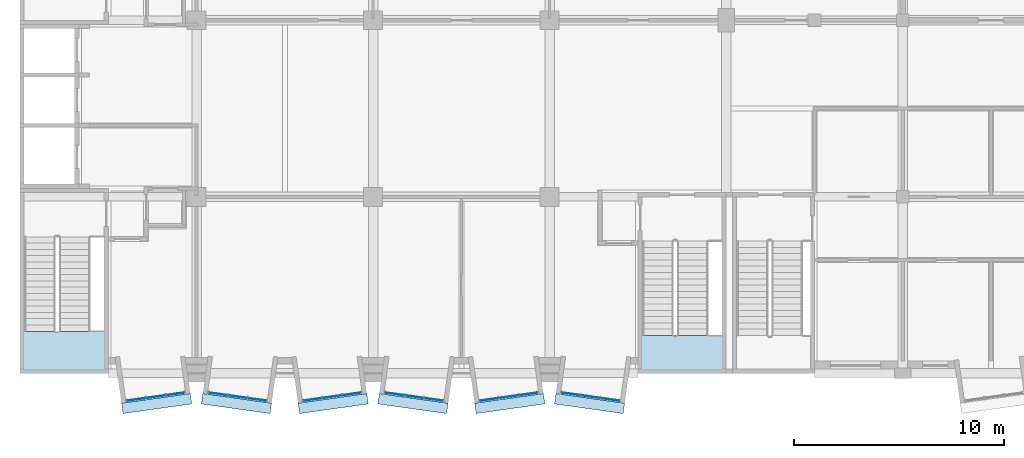
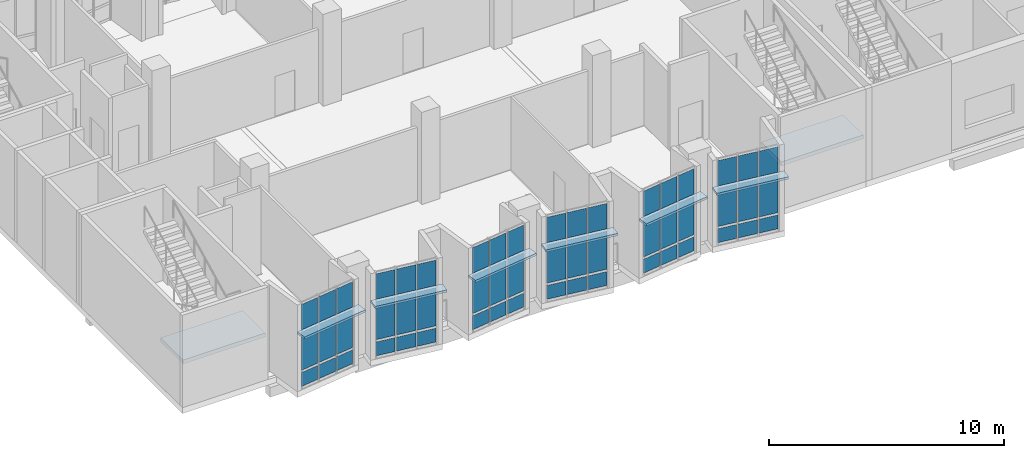
# One storey, part 20 of 91: 60 plates, 2 slabs, 8 elements without a shape of their own.
"""IFC4 building model written with IfcOpenShell, lengths in metres."""

from ifc_helpers import new_model, si_unit, direction, frame, origin, origin_2d, place, context, subcontext, project, spatial, polyline, rectangle, outline, extrude, material, layer, layer_set, type_object, element, aggregate, save


model = new_model("IFC4")

# Units and contexts
model_context = context("Model", 3, precision=1e-05, world=origin(), true_north=direction((0.0, 1.0)))
body_context = subcontext(model_context, "Body", "Model", "MODEL_VIEW")
ifc_project = project(units=[si_unit("LENGTHUNIT", "METRE"), si_unit("AREAUNIT", "SQUARE_METRE"), si_unit("VOLUMEUNIT", "CUBIC_METRE"), si_unit("PLANEANGLEUNIT", "RADIAN"), si_unit("MASSUNIT", "GRAM", prefix="KILO")], contexts=[model_context])

# Site, building, storey
site_placement = place(None, origin())
site = spatial("IfcSite", under=ifc_project, at=site_placement, CompositionType="ELEMENT")
building_placement = place(site_placement, origin())
building = spatial("IfcBuilding", under=site, at=building_placement, Name="Kiln Court Media Centre", CompositionType="ELEMENT")
storey_placement = place(building_placement, frame((0.0, 0.0, 5.39990234375)))
storey = spatial("IfcBuildingStorey", under=building, at=storey_placement, Name="L01", CompositionType="ELEMENT", Elevation=5.39990234375)

# Plates
ifc_material_1 = material(Name="Concrete C30/37", Category="concrete")
ifc_layer_1 = layer(ifc_material_1, 0.1201171875)
ifc_layer_set_1 = layer_set([ifc_layer_1], Name="Concrete C30/37 sunshade hood 120")
plate_type_1 = type_object("IfcPlateType", Name="Concrete C30/37 sunshade hood 120", PredefinedType="USERDEFINED", material=ifc_layer_set_1)
plate_1_placement = place(storey_placement, frame((0.0, 0.0, 3.0)))
element("IfcPlate", 1, at=plate_1_placement, inside=storey, type_object=plate_type_1, Name="SUNSHADE V6A-S-L01-02", ObjectType="SUNSHADE", PredefinedType="USERDEFINED", context=body_context, shape_type="SweptSolid", body=[
    extrude(outline(polyline([(4.8330078125, -1.41796875), (8.10107421875, -0.958740234375), (8.17041015625, -1.453857421875), (4.902587890625, -1.9130859375), (4.8330078125, -1.41796875)])), origin(), (0.0, 0.0, 1.0), 0.1201171875),
])
plate_2_placement = place(storey_placement, frame((0.0, 0.0, 3.0)))
element("IfcPlate", 2, at=plate_2_placement, inside=storey, type_object=plate_type_1, Name="SUNSHADE V6A-S-L01-03", ObjectType="SUNSHADE", PredefinedType="USERDEFINED", context=body_context, shape_type="SweptSolid", body=[
    extrude(outline(polyline([(8.698974609375, -0.958740234375), (11.966796875, -1.41796875), (11.897216796875, -1.9130859375), (8.62939453125, -1.453857421875), (8.698974609375, -0.958740234375)])), origin(), (0.0, 0.0, 1.0), 0.1201171875),
])
plate_3_placement = place(storey_placement, frame((0.0, 0.0, 3.0)))
element("IfcPlate", 3, at=plate_3_placement, inside=storey, type_object=plate_type_1, Name="SUNSHADE V6A-S-L01-04", ObjectType="SUNSHADE", PredefinedType="USERDEFINED", context=body_context, shape_type="SweptSolid", body=[
    extrude(outline(polyline([(13.233154296875, -1.41796875), (16.5009765625, -0.958740234375), (16.570556640625, -1.453857421875), (13.302734375, -1.9130859375), (13.233154296875, -1.41796875)])), origin(), (0.0, 0.0, 1.0), 0.1201171875),
])
plate_4_placement = place(storey_placement, frame((0.0, 0.0, 3.0)))
element("IfcPlate", 4, at=plate_4_placement, inside=storey, type_object=plate_type_1, Name="SUNSHADE V6A-S-L01-05", ObjectType="SUNSHADE", PredefinedType="USERDEFINED", context=body_context, shape_type="SweptSolid", body=[
    extrude(outline(polyline([(17.09912109375, -0.958740234375), (20.366943359375, -1.41796875), (20.29736328125, -1.9130859375), (17.029541015625, -1.453857421875), (17.09912109375, -0.958740234375)])), origin(), (0.0, 0.0, 1.0), 0.1201171875),
])
plate_5_placement = place(storey_placement, frame((0.0, 0.0, 3.0)))
element("IfcPlate", 5, at=plate_5_placement, inside=storey, type_object=plate_type_1, Name="SUNSHADE V6A-S-L01-06", ObjectType="SUNSHADE", PredefinedType="USERDEFINED", context=body_context, shape_type="SweptSolid", body=[
    extrude(outline(polyline([(21.633056640625, -1.41796875), (24.90087890625, -0.958740234375), (24.970458984375, -1.453857421875), (21.70263671875, -1.9130859375), (21.633056640625, -1.41796875)])), origin(), (0.0, 0.0, 1.0), 0.1201171875),
])
plate_6_placement = place(storey_placement, frame((0.0, 0.0, 3.0)))
element("IfcPlate", 6, at=plate_6_placement, inside=storey, type_object=plate_type_1, Name="SUNSHADE V6A-S-L01-07", ObjectType="SUNSHADE", PredefinedType="USERDEFINED", context=body_context, shape_type="SweptSolid", body=[
    extrude(outline(polyline([(25.4990234375, -0.958740234375), (28.766845703125, -1.41796875), (28.697265625, -1.9130859375), (25.429443359375, -1.453857421875), (25.4990234375, -0.958740234375)])), origin(), (0.0, 0.0, 1.0), 0.1201171875),
])

# Stair, slab
ifc_material_2 = material(Name="Concrete C40/50", Category="concrete")
stair_type = type_object("IfcStairType", Name="Concrete C40/50 dog-leg stair 1500 wide, 150 riser", PredefinedType="HALF_TURN_STAIR", material=ifc_material_2)
stair_1_placement = place(storey_placement, origin())
stair_1 = element("IfcStair", 7, at=stair_1_placement, inside=storey, type_object=stair_type, Name="ST-01 L01", PredefinedType="HALF_TURN_STAIR")
ifc_material_3 = material(Name="Concrete C40/50", Category="concrete")
ifc_layer_2 = layer(ifc_material_3, 0.199951171875)
ifc_layer_set_2 = layer_set([ifc_layer_2], Name="Concrete C40/50 stair landing 200")
slab_type = type_object("IfcSlabType", Name="Concrete C40/50 stair landing 200", PredefinedType="LANDING", material=ifc_layer_set_2)
slab_1_placement = place(storey_placement, frame((0.0, 0.0, 2.2001953125)))
slab_1 = element("IfcSlab", 8, at=slab_1_placement, type_object=slab_type, Name="L01-ST-5000 landing 5000", PredefinedType="LANDING", context=body_context, shape_type="SweptSolid", body=[
    extrude(outline(polyline([(0.080078125, 2.0), (0.080078125, 0.080078125), (4.1201171875, 0.080078125), (4.1201171875, 2.0), (0.080078125, 2.0)])), origin(), (0.0, 0.0, 1.0), 0.199951171875),
])
aggregate(stair_1, [slab_1])

stair_2_placement = place(storey_placement, origin())
stair_2 = element("IfcStair", 9, at=stair_2_placement, inside=storey, type_object=stair_type, Name="ST-03 L01", PredefinedType="HALF_TURN_STAIR")
slab_2_placement = place(storey_placement, frame((0.0, 0.0, 2.2001953125)))
slab_2 = element("IfcSlab", 10, at=slab_2_placement, type_object=slab_type, Name="L01-ST-5002 landing 5002", PredefinedType="LANDING", context=body_context, shape_type="SweptSolid", body=[
    extrude(outline(polyline([(29.47998046875, 1.800048828125), (29.47998046875, 0.080078125), (33.52001953125, 0.080078125), (33.52001953125, 1.800048828125), (29.47998046875, 1.800048828125)])), origin(), (0.0, 0.0, 1.0), 0.199951171875),
])
aggregate(stair_2, [slab_2])

# Curtain wall, plates
ifc_material_4 = material(Name="Aluminium 6063-T6", Category="aluminium")
ifc_layer_3 = layer(ifc_material_4, 0.1201171875)
ifc_layer_set_3 = layer_set([ifc_layer_3], Name="Aluminium unitised bay curtain wall")
curtain_wall_type = type_object("IfcCurtainWallType", Name="Aluminium unitised bay curtain wall", PredefinedType="USERDEFINED", material=ifc_layer_set_3)
curtain_wall_1_placement = place(storey_placement, origin())
curtain_wall_1 = element("IfcCurtainWall", 11, at=curtain_wall_1_placement, inside=storey, type_object=curtain_wall_type, Name="BAY V6A-S-L01-02 front", ObjectType="UNITISED CURTAIN WALL", PredefinedType="USERDEFINED")
ifc_material_5 = material(Name="Aluminium insulated spandrel", Category="aluminium")
ifc_layer_4 = layer(ifc_material_5, 0.028076171875)
ifc_layer_set_4 = layer_set([ifc_layer_4], Name="Insulated spandrel panel 28")
plate_type_2 = type_object("IfcPlateType", Name="Insulated spandrel panel 28", PredefinedType="CURTAIN_PANEL", material=ifc_layer_set_4)
plate_7_placement = place(storey_placement, frame((5.5234375, -1.240234375, 0.1201171875), z_axis=(0.0, 0.0, 1.0), x_axis=(0.990269562409, 0.139162472554, 0.0)))
plate_7 = element("IfcPlate", 12, at=plate_7_placement, type_object=plate_type_2, Name="CW1-10 panel 1.1", PredefinedType="CURTAIN_PANEL", context=body_context, shape_type="SweptSolid", body=[
    extrude(rectangle(XDim=0.86669921875, YDim=0.028076171875, at=origin_2d()), origin(), (0.0, 0.0, 1.0), 0.719970703125),
])
plate_8_placement = place(storey_placement, frame((6.455810546875, -1.109130859375, 0.1201171875), z_axis=(0.0, 0.0, 1.0), x_axis=(0.990269562409, 0.139162472554, 0.0)))
plate_8 = element("IfcPlate", 13, at=plate_8_placement, type_object=plate_type_2, Name="CW1-10 panel 2.1", PredefinedType="CURTAIN_PANEL", context=body_context, shape_type="SweptSolid", body=[
    extrude(rectangle(XDim=0.896728515625, YDim=0.028076171875, at=origin_2d()), origin(), (0.0, 0.0, 1.0), 0.719970703125),
])
plate_9_placement = place(storey_placement, frame((7.388427734375, -0.97802734375, 0.1201171875), z_axis=(0.0, 0.0, 1.0), x_axis=(0.990269562409, 0.139162472554, 0.0)))
plate_9 = element("IfcPlate", 14, at=plate_9_placement, type_object=plate_type_2, Name="CW1-10 panel 3.1", PredefinedType="CURTAIN_PANEL", context=body_context, shape_type="SweptSolid", body=[
    extrude(rectangle(XDim=0.86669921875, YDim=0.028076171875, at=origin_2d()), origin(), (0.0, 0.0, 1.0), 0.719970703125),
])

curtain_wall_2_placement = place(storey_placement, origin())
curtain_wall_2 = element("IfcCurtainWall", 15, at=curtain_wall_2_placement, inside=storey, type_object=curtain_wall_type, Name="BAY V6A-S-L01-03 front", ObjectType="UNITISED CURTAIN WALL", PredefinedType="USERDEFINED")
plate_10_placement = place(storey_placement, frame((9.41162109375, -0.97802734375, 0.1201171875), z_axis=(0.0, 0.0, 1.0), x_axis=(0.990269562409, -0.139162472554, 0.0)))
plate_10 = element("IfcPlate", 16, at=plate_10_placement, type_object=plate_type_2, Name="CW1-11 panel 1.1", PredefinedType="CURTAIN_PANEL", context=body_context, shape_type="SweptSolid", body=[
    extrude(rectangle(XDim=0.86669921875, YDim=0.028076171875, at=origin_2d()), origin(), (0.0, 0.0, 1.0), 0.719970703125),
])
plate_11_placement = place(storey_placement, frame((10.34423828125, -1.109130859375, 0.1201171875), z_axis=(0.0, 0.0, 1.0), x_axis=(0.990269562409, -0.139162472554, 0.0)))
plate_11 = element("IfcPlate", 17, at=plate_11_placement, type_object=plate_type_2, Name="CW1-11 panel 2.1", PredefinedType="CURTAIN_PANEL", context=body_context, shape_type="SweptSolid", body=[
    extrude(rectangle(XDim=0.896728515625, YDim=0.028076171875, at=origin_2d()), origin(), (0.0, 0.0, 1.0), 0.719970703125),
])
plate_12_placement = place(storey_placement, frame((11.276611328125, -1.240234375, 0.1201171875), z_axis=(0.0, 0.0, 1.0), x_axis=(0.990269562409, -0.139162472554, 0.0)))
plate_12 = element("IfcPlate", 18, at=plate_12_placement, type_object=plate_type_2, Name="CW1-11 panel 3.1", PredefinedType="CURTAIN_PANEL", context=body_context, shape_type="SweptSolid", body=[
    extrude(rectangle(XDim=0.86669921875, YDim=0.028076171875, at=origin_2d()), origin(), (0.0, 0.0, 1.0), 0.719970703125),
])

curtain_wall_3_placement = place(storey_placement, origin())
curtain_wall_3 = element("IfcCurtainWall", 19, at=curtain_wall_3_placement, inside=storey, type_object=curtain_wall_type, Name="BAY V6A-S-L01-04 front", ObjectType="UNITISED CURTAIN WALL", PredefinedType="USERDEFINED")
plate_13_placement = place(storey_placement, frame((13.92333984375, -1.240234375, 0.1201171875), z_axis=(0.0, 0.0, 1.0), x_axis=(0.990269562409, 0.139162472554, 0.0)))
plate_13 = element("IfcPlate", 20, at=plate_13_placement, type_object=plate_type_2, Name="CW1-12 panel 1.1", PredefinedType="CURTAIN_PANEL", context=body_context, shape_type="SweptSolid", body=[
    extrude(rectangle(XDim=0.86669921875, YDim=0.028076171875, at=origin_2d()), origin(), (0.0, 0.0, 1.0), 0.719970703125),
])
plate_14_placement = place(storey_placement, frame((14.85595703125, -1.109130859375, 0.1201171875), z_axis=(0.0, 0.0, 1.0), x_axis=(0.990269562409, 0.139162472554, 0.0)))
plate_14 = element("IfcPlate", 21, at=plate_14_placement, type_object=plate_type_2, Name="CW1-12 panel 2.1", PredefinedType="CURTAIN_PANEL", context=body_context, shape_type="SweptSolid", body=[
    extrude(rectangle(XDim=0.896728515625, YDim=0.028076171875, at=origin_2d()), origin(), (0.0, 0.0, 1.0), 0.719970703125),
])
plate_15_placement = place(storey_placement, frame((15.788330078125, -0.97802734375, 0.1201171875), z_axis=(0.0, 0.0, 1.0), x_axis=(0.990269562409, 0.139162472554, 0.0)))
plate_15 = element("IfcPlate", 22, at=plate_15_placement, type_object=plate_type_2, Name="CW1-12 panel 3.1", PredefinedType="CURTAIN_PANEL", context=body_context, shape_type="SweptSolid", body=[
    extrude(rectangle(XDim=0.86669921875, YDim=0.028076171875, at=origin_2d()), origin(), (0.0, 0.0, 1.0), 0.719970703125),
])

curtain_wall_4_placement = place(storey_placement, origin())
curtain_wall_4 = element("IfcCurtainWall", 23, at=curtain_wall_4_placement, inside=storey, type_object=curtain_wall_type, Name="BAY V6A-S-L01-05 front", ObjectType="UNITISED CURTAIN WALL", PredefinedType="USERDEFINED")
plate_16_placement = place(storey_placement, frame((17.8115234375, -0.97802734375, 0.1201171875), z_axis=(0.0, 0.0, 1.0), x_axis=(0.990269562409, -0.139162472554, 0.0)))
plate_16 = element("IfcPlate", 24, at=plate_16_placement, type_object=plate_type_2, Name="CW1-13 panel 1.1", PredefinedType="CURTAIN_PANEL", context=body_context, shape_type="SweptSolid", body=[
    extrude(rectangle(XDim=0.86669921875, YDim=0.028076171875, at=origin_2d()), origin(), (0.0, 0.0, 1.0), 0.719970703125),
])
plate_17_placement = place(storey_placement, frame((18.744140625, -1.109130859375, 0.1201171875), z_axis=(0.0, 0.0, 1.0), x_axis=(0.990269562409, -0.139162472554, 0.0)))
plate_17 = element("IfcPlate", 25, at=plate_17_placement, type_object=plate_type_2, Name="CW1-13 panel 2.1", PredefinedType="CURTAIN_PANEL", context=body_context, shape_type="SweptSolid", body=[
    extrude(rectangle(XDim=0.896728515625, YDim=0.028076171875, at=origin_2d()), origin(), (0.0, 0.0, 1.0), 0.719970703125),
])
plate_18_placement = place(storey_placement, frame((19.6767578125, -1.240234375, 0.1201171875), z_axis=(0.0, 0.0, 1.0), x_axis=(0.990269562409, -0.139162472554, 0.0)))
plate_18 = element("IfcPlate", 26, at=plate_18_placement, type_object=plate_type_2, Name="CW1-13 panel 3.1", PredefinedType="CURTAIN_PANEL", context=body_context, shape_type="SweptSolid", body=[
    extrude(rectangle(XDim=0.86669921875, YDim=0.028076171875, at=origin_2d()), origin(), (0.0, 0.0, 1.0), 0.719970703125),
])

curtain_wall_5_placement = place(storey_placement, origin())
curtain_wall_5 = element("IfcCurtainWall", 27, at=curtain_wall_5_placement, inside=storey, type_object=curtain_wall_type, Name="BAY V6A-S-L01-06 front", ObjectType="UNITISED CURTAIN WALL", PredefinedType="USERDEFINED")
plate_19_placement = place(storey_placement, frame((22.3232421875, -1.240234375, 0.1201171875), z_axis=(0.0, 0.0, 1.0), x_axis=(0.990269562409, 0.139162472554, 0.0)))
plate_19 = element("IfcPlate", 28, at=plate_19_placement, type_object=plate_type_2, Name="CW1-14 panel 1.1", PredefinedType="CURTAIN_PANEL", context=body_context, shape_type="SweptSolid", body=[
    extrude(rectangle(XDim=0.86669921875, YDim=0.028076171875, at=origin_2d()), origin(), (0.0, 0.0, 1.0), 0.719970703125),
])
plate_20_placement = place(storey_placement, frame((23.255859375, -1.109130859375, 0.1201171875), z_axis=(0.0, 0.0, 1.0), x_axis=(0.990269562409, 0.139162472554, 0.0)))
plate_20 = element("IfcPlate", 29, at=plate_20_placement, type_object=plate_type_2, Name="CW1-14 panel 2.1", PredefinedType="CURTAIN_PANEL", context=body_context, shape_type="SweptSolid", body=[
    extrude(rectangle(XDim=0.896728515625, YDim=0.028076171875, at=origin_2d()), origin(), (0.0, 0.0, 1.0), 0.719970703125),
])
plate_21_placement = place(storey_placement, frame((24.1884765625, -0.97802734375, 0.1201171875), z_axis=(0.0, 0.0, 1.0), x_axis=(0.990269562409, 0.139162472554, 0.0)))
plate_21 = element("IfcPlate", 30, at=plate_21_placement, type_object=plate_type_2, Name="CW1-14 panel 3.1", PredefinedType="CURTAIN_PANEL", context=body_context, shape_type="SweptSolid", body=[
    extrude(rectangle(XDim=0.86669921875, YDim=0.028076171875, at=origin_2d()), origin(), (0.0, 0.0, 1.0), 0.719970703125),
])

curtain_wall_6_placement = place(storey_placement, origin())
curtain_wall_6 = element("IfcCurtainWall", 31, at=curtain_wall_6_placement, inside=storey, type_object=curtain_wall_type, Name="BAY V6A-S-L01-07 front", ObjectType="UNITISED CURTAIN WALL", PredefinedType="USERDEFINED")
plate_22_placement = place(storey_placement, frame((26.211669921875, -0.97802734375, 0.1201171875), z_axis=(0.0, 0.0, 1.0), x_axis=(0.990269562409, -0.139162472554, 0.0)))
plate_22 = element("IfcPlate", 32, at=plate_22_placement, type_object=plate_type_2, Name="CW1-15 panel 1.1", PredefinedType="CURTAIN_PANEL", context=body_context, shape_type="SweptSolid", body=[
    extrude(rectangle(XDim=0.86669921875, YDim=0.028076171875, at=origin_2d()), origin(), (0.0, 0.0, 1.0), 0.719970703125),
])
plate_23_placement = place(storey_placement, frame((27.14404296875, -1.109130859375, 0.1201171875), z_axis=(0.0, 0.0, 1.0), x_axis=(0.990269562409, -0.139162472554, 0.0)))
plate_23 = element("IfcPlate", 33, at=plate_23_placement, type_object=plate_type_2, Name="CW1-15 panel 2.1", PredefinedType="CURTAIN_PANEL", context=body_context, shape_type="SweptSolid", body=[
    extrude(rectangle(XDim=0.896728515625, YDim=0.028076171875, at=origin_2d()), origin(), (0.0, 0.0, 1.0), 0.719970703125),
])
plate_24_placement = place(storey_placement, frame((28.07666015625, -1.240234375, 0.1201171875), z_axis=(0.0, 0.0, 1.0), x_axis=(0.990269562409, -0.139162472554, 0.0)))
plate_24 = element("IfcPlate", 34, at=plate_24_placement, type_object=plate_type_2, Name="CW1-15 panel 3.1", PredefinedType="CURTAIN_PANEL", context=body_context, shape_type="SweptSolid", body=[
    extrude(rectangle(XDim=0.86669921875, YDim=0.028076171875, at=origin_2d()), origin(), (0.0, 0.0, 1.0), 0.719970703125),
])

# Plate
ifc_material_6 = material(Name="Low-E double glazing", Category="glass")
ifc_layer_5 = layer(ifc_material_6, 0.028076171875)
ifc_layer_set_5 = layer_set([ifc_layer_5], Name="Low-E double glazed panel 28")
plate_type_3 = type_object("IfcPlateType", Name="Low-E double glazed panel 28", PredefinedType="CURTAIN_PANEL", material=ifc_layer_set_5)
plate_25_placement = place(storey_placement, frame((5.5234375, -1.240234375, 0.960205078125), z_axis=(0.0, 0.0, 1.0), x_axis=(0.990269562409, 0.139162472554, 0.0)))
plate_25 = element("IfcPlate", 35, at=plate_25_placement, type_object=plate_type_3, Name="CW1-10 panel 1.2", PredefinedType="CURTAIN_PANEL", context=body_context, shape_type="SweptSolid", body=[
    extrude(rectangle(XDim=0.86669921875, YDim=0.028076171875, at=origin_2d()), origin(), (0.0, 0.0, 1.0), 1.97998046875),
])

plate_26_placement = place(storey_placement, frame((5.5234375, -1.240234375, 3.06005859375), z_axis=(0.0, 0.0, 1.0), x_axis=(0.990269562409, 0.139162472554, 0.0)))
plate_26 = element("IfcPlate", 36, at=plate_26_placement, type_object=plate_type_3, Name="CW1-10 panel 1.3", PredefinedType="CURTAIN_PANEL", context=body_context, shape_type="SweptSolid", body=[
    extrude(rectangle(XDim=0.86669921875, YDim=0.028076171875, at=origin_2d()), origin(), (0.0, 0.0, 1.0), 1.320068359375),
])

plate_27_placement = place(storey_placement, frame((6.455810546875, -1.109130859375, 0.960205078125), z_axis=(0.0, 0.0, 1.0), x_axis=(0.990269562409, 0.139162472554, 0.0)))
plate_27 = element("IfcPlate", 37, at=plate_27_placement, type_object=plate_type_3, Name="CW1-10 panel 2.2", PredefinedType="CURTAIN_PANEL", context=body_context, shape_type="SweptSolid", body=[
    extrude(rectangle(XDim=0.896728515625, YDim=0.028076171875, at=origin_2d()), origin(), (0.0, 0.0, 1.0), 1.97998046875),
])

plate_28_placement = place(storey_placement, frame((6.455810546875, -1.109130859375, 3.06005859375), z_axis=(0.0, 0.0, 1.0), x_axis=(0.990269562409, 0.139162472554, 0.0)))
plate_28 = element("IfcPlate", 38, at=plate_28_placement, type_object=plate_type_3, Name="CW1-10 panel 2.3", PredefinedType="CURTAIN_PANEL", context=body_context, shape_type="SweptSolid", body=[
    extrude(rectangle(XDim=0.896728515625, YDim=0.028076171875, at=origin_2d()), origin(), (0.0, 0.0, 1.0), 1.320068359375),
])

plate_29_placement = place(storey_placement, frame((7.388427734375, -0.97802734375, 0.960205078125), z_axis=(0.0, 0.0, 1.0), x_axis=(0.990269562409, 0.139162472554, 0.0)))
plate_29 = element("IfcPlate", 39, at=plate_29_placement, type_object=plate_type_3, Name="CW1-10 panel 3.2", PredefinedType="CURTAIN_PANEL", context=body_context, shape_type="SweptSolid", body=[
    extrude(rectangle(XDim=0.86669921875, YDim=0.028076171875, at=origin_2d()), origin(), (0.0, 0.0, 1.0), 1.97998046875),
])

plate_30_placement = place(storey_placement, frame((7.388427734375, -0.97802734375, 3.06005859375), z_axis=(0.0, 0.0, 1.0), x_axis=(0.990269562409, 0.139162472554, 0.0)))
plate_30 = element("IfcPlate", 40, at=plate_30_placement, type_object=plate_type_3, Name="CW1-10 panel 3.3", PredefinedType="CURTAIN_PANEL", context=body_context, shape_type="SweptSolid", body=[
    extrude(rectangle(XDim=0.86669921875, YDim=0.028076171875, at=origin_2d()), origin(), (0.0, 0.0, 1.0), 1.320068359375),
])

aggregate(curtain_wall_1, [plate_7, plate_25, plate_26, plate_8, plate_27, plate_28, plate_9, plate_29, plate_30])

plate_31_placement = place(storey_placement, frame((9.41162109375, -0.97802734375, 0.960205078125), z_axis=(0.0, 0.0, 1.0), x_axis=(0.990269562409, -0.139162472554, 0.0)))
plate_31 = element("IfcPlate", 41, at=plate_31_placement, type_object=plate_type_3, Name="CW1-11 panel 1.2", PredefinedType="CURTAIN_PANEL", context=body_context, shape_type="SweptSolid", body=[
    extrude(rectangle(XDim=0.86669921875, YDim=0.028076171875, at=origin_2d()), origin(), (0.0, 0.0, 1.0), 1.97998046875),
])

plate_32_placement = place(storey_placement, frame((9.41162109375, -0.97802734375, 3.06005859375), z_axis=(0.0, 0.0, 1.0), x_axis=(0.990269562409, -0.139162472554, 0.0)))
plate_32 = element("IfcPlate", 42, at=plate_32_placement, type_object=plate_type_3, Name="CW1-11 panel 1.3", PredefinedType="CURTAIN_PANEL", context=body_context, shape_type="SweptSolid", body=[
    extrude(rectangle(XDim=0.86669921875, YDim=0.028076171875, at=origin_2d()), origin(), (0.0, 0.0, 1.0), 1.320068359375),
])

plate_33_placement = place(storey_placement, frame((10.34423828125, -1.109130859375, 0.960205078125), z_axis=(0.0, 0.0, 1.0), x_axis=(0.990269562409, -0.139162472554, 0.0)))
plate_33 = element("IfcPlate", 43, at=plate_33_placement, type_object=plate_type_3, Name="CW1-11 panel 2.2", PredefinedType="CURTAIN_PANEL", context=body_context, shape_type="SweptSolid", body=[
    extrude(rectangle(XDim=0.896728515625, YDim=0.028076171875, at=origin_2d()), origin(), (0.0, 0.0, 1.0), 1.97998046875),
])

plate_34_placement = place(storey_placement, frame((10.34423828125, -1.109130859375, 3.06005859375), z_axis=(0.0, 0.0, 1.0), x_axis=(0.990269562409, -0.139162472554, 0.0)))
plate_34 = element("IfcPlate", 44, at=plate_34_placement, type_object=plate_type_3, Name="CW1-11 panel 2.3", PredefinedType="CURTAIN_PANEL", context=body_context, shape_type="SweptSolid", body=[
    extrude(rectangle(XDim=0.896728515625, YDim=0.028076171875, at=origin_2d()), origin(), (0.0, 0.0, 1.0), 1.320068359375),
])

plate_35_placement = place(storey_placement, frame((11.276611328125, -1.240234375, 0.960205078125), z_axis=(0.0, 0.0, 1.0), x_axis=(0.990269562409, -0.139162472554, 0.0)))
plate_35 = element("IfcPlate", 45, at=plate_35_placement, type_object=plate_type_3, Name="CW1-11 panel 3.2", PredefinedType="CURTAIN_PANEL", context=body_context, shape_type="SweptSolid", body=[
    extrude(rectangle(XDim=0.86669921875, YDim=0.028076171875, at=origin_2d()), origin(), (0.0, 0.0, 1.0), 1.97998046875),
])

plate_36_placement = place(storey_placement, frame((11.276611328125, -1.240234375, 3.06005859375), z_axis=(0.0, 0.0, 1.0), x_axis=(0.990269562409, -0.139162472554, 0.0)))
plate_36 = element("IfcPlate", 46, at=plate_36_placement, type_object=plate_type_3, Name="CW1-11 panel 3.3", PredefinedType="CURTAIN_PANEL", context=body_context, shape_type="SweptSolid", body=[
    extrude(rectangle(XDim=0.86669921875, YDim=0.028076171875, at=origin_2d()), origin(), (0.0, 0.0, 1.0), 1.320068359375),
])

aggregate(curtain_wall_2, [plate_10, plate_31, plate_32, plate_11, plate_33, plate_34, plate_12, plate_35, plate_36])

plate_37_placement = place(storey_placement, frame((13.92333984375, -1.240234375, 0.960205078125), z_axis=(0.0, 0.0, 1.0), x_axis=(0.990269562409, 0.139162472554, 0.0)))
plate_37 = element("IfcPlate", 47, at=plate_37_placement, type_object=plate_type_3, Name="CW1-12 panel 1.2", PredefinedType="CURTAIN_PANEL", context=body_context, shape_type="SweptSolid", body=[
    extrude(rectangle(XDim=0.86669921875, YDim=0.028076171875, at=origin_2d()), origin(), (0.0, 0.0, 1.0), 1.97998046875),
])

plate_38_placement = place(storey_placement, frame((13.92333984375, -1.240234375, 3.06005859375), z_axis=(0.0, 0.0, 1.0), x_axis=(0.990269562409, 0.139162472554, 0.0)))
plate_38 = element("IfcPlate", 48, at=plate_38_placement, type_object=plate_type_3, Name="CW1-12 panel 1.3", PredefinedType="CURTAIN_PANEL", context=body_context, shape_type="SweptSolid", body=[
    extrude(rectangle(XDim=0.86669921875, YDim=0.028076171875, at=origin_2d()), origin(), (0.0, 0.0, 1.0), 1.320068359375),
])

plate_39_placement = place(storey_placement, frame((14.85595703125, -1.109130859375, 0.960205078125), z_axis=(0.0, 0.0, 1.0), x_axis=(0.990269562409, 0.139162472554, 0.0)))
plate_39 = element("IfcPlate", 49, at=plate_39_placement, type_object=plate_type_3, Name="CW1-12 panel 2.2", PredefinedType="CURTAIN_PANEL", context=body_context, shape_type="SweptSolid", body=[
    extrude(rectangle(XDim=0.896728515625, YDim=0.028076171875, at=origin_2d()), origin(), (0.0, 0.0, 1.0), 1.97998046875),
])

plate_40_placement = place(storey_placement, frame((14.85595703125, -1.109130859375, 3.06005859375), z_axis=(0.0, 0.0, 1.0), x_axis=(0.990269562409, 0.139162472554, 0.0)))
plate_40 = element("IfcPlate", 50, at=plate_40_placement, type_object=plate_type_3, Name="CW1-12 panel 2.3", PredefinedType="CURTAIN_PANEL", context=body_context, shape_type="SweptSolid", body=[
    extrude(rectangle(XDim=0.896728515625, YDim=0.028076171875, at=origin_2d()), origin(), (0.0, 0.0, 1.0), 1.320068359375),
])

plate_41_placement = place(storey_placement, frame((15.788330078125, -0.97802734375, 0.960205078125), z_axis=(0.0, 0.0, 1.0), x_axis=(0.990269562409, 0.139162472554, 0.0)))
plate_41 = element("IfcPlate", 51, at=plate_41_placement, type_object=plate_type_3, Name="CW1-12 panel 3.2", PredefinedType="CURTAIN_PANEL", context=body_context, shape_type="SweptSolid", body=[
    extrude(rectangle(XDim=0.86669921875, YDim=0.028076171875, at=origin_2d()), origin(), (0.0, 0.0, 1.0), 1.97998046875),
])

plate_42_placement = place(storey_placement, frame((15.788330078125, -0.97802734375, 3.06005859375), z_axis=(0.0, 0.0, 1.0), x_axis=(0.990269562409, 0.139162472554, 0.0)))
plate_42 = element("IfcPlate", 52, at=plate_42_placement, type_object=plate_type_3, Name="CW1-12 panel 3.3", PredefinedType="CURTAIN_PANEL", context=body_context, shape_type="SweptSolid", body=[
    extrude(rectangle(XDim=0.86669921875, YDim=0.028076171875, at=origin_2d()), origin(), (0.0, 0.0, 1.0), 1.320068359375),
])

aggregate(curtain_wall_3, [plate_13, plate_37, plate_38, plate_14, plate_39, plate_40, plate_15, plate_41, plate_42])

plate_43_placement = place(storey_placement, frame((17.8115234375, -0.97802734375, 0.960205078125), z_axis=(0.0, 0.0, 1.0), x_axis=(0.990269562409, -0.139162472554, 0.0)))
plate_43 = element("IfcPlate", 53, at=plate_43_placement, type_object=plate_type_3, Name="CW1-13 panel 1.2", PredefinedType="CURTAIN_PANEL", context=body_context, shape_type="SweptSolid", body=[
    extrude(rectangle(XDim=0.86669921875, YDim=0.028076171875, at=origin_2d()), origin(), (0.0, 0.0, 1.0), 1.97998046875),
])

plate_44_placement = place(storey_placement, frame((17.8115234375, -0.97802734375, 3.06005859375), z_axis=(0.0, 0.0, 1.0), x_axis=(0.990269562409, -0.139162472554, 0.0)))
plate_44 = element("IfcPlate", 54, at=plate_44_placement, type_object=plate_type_3, Name="CW1-13 panel 1.3", PredefinedType="CURTAIN_PANEL", context=body_context, shape_type="SweptSolid", body=[
    extrude(rectangle(XDim=0.86669921875, YDim=0.028076171875, at=origin_2d()), origin(), (0.0, 0.0, 1.0), 1.320068359375),
])

plate_45_placement = place(storey_placement, frame((18.744140625, -1.109130859375, 0.960205078125), z_axis=(0.0, 0.0, 1.0), x_axis=(0.990269562409, -0.139162472554, 0.0)))
plate_45 = element("IfcPlate", 55, at=plate_45_placement, type_object=plate_type_3, Name="CW1-13 panel 2.2", PredefinedType="CURTAIN_PANEL", context=body_context, shape_type="SweptSolid", body=[
    extrude(rectangle(XDim=0.896728515625, YDim=0.028076171875, at=origin_2d()), origin(), (0.0, 0.0, 1.0), 1.97998046875),
])

plate_46_placement = place(storey_placement, frame((18.744140625, -1.109130859375, 3.06005859375), z_axis=(0.0, 0.0, 1.0), x_axis=(0.990269562409, -0.139162472554, 0.0)))
plate_46 = element("IfcPlate", 56, at=plate_46_placement, type_object=plate_type_3, Name="CW1-13 panel 2.3", PredefinedType="CURTAIN_PANEL", context=body_context, shape_type="SweptSolid", body=[
    extrude(rectangle(XDim=0.896728515625, YDim=0.028076171875, at=origin_2d()), origin(), (0.0, 0.0, 1.0), 1.320068359375),
])

plate_47_placement = place(storey_placement, frame((19.6767578125, -1.240234375, 0.960205078125), z_axis=(0.0, 0.0, 1.0), x_axis=(0.990269562409, -0.139162472554, 0.0)))
plate_47 = element("IfcPlate", 57, at=plate_47_placement, type_object=plate_type_3, Name="CW1-13 panel 3.2", PredefinedType="CURTAIN_PANEL", context=body_context, shape_type="SweptSolid", body=[
    extrude(rectangle(XDim=0.86669921875, YDim=0.028076171875, at=origin_2d()), origin(), (0.0, 0.0, 1.0), 1.97998046875),
])

plate_48_placement = place(storey_placement, frame((19.6767578125, -1.240234375, 3.06005859375), z_axis=(0.0, 0.0, 1.0), x_axis=(0.990269562409, -0.139162472554, 0.0)))
plate_48 = element("IfcPlate", 58, at=plate_48_placement, type_object=plate_type_3, Name="CW1-13 panel 3.3", PredefinedType="CURTAIN_PANEL", context=body_context, shape_type="SweptSolid", body=[
    extrude(rectangle(XDim=0.86669921875, YDim=0.028076171875, at=origin_2d()), origin(), (0.0, 0.0, 1.0), 1.320068359375),
])

aggregate(curtain_wall_4, [plate_16, plate_43, plate_44, plate_17, plate_45, plate_46, plate_18, plate_47, plate_48])

plate_49_placement = place(storey_placement, frame((22.3232421875, -1.240234375, 0.960205078125), z_axis=(0.0, 0.0, 1.0), x_axis=(0.990269562409, 0.139162472554, 0.0)))
plate_49 = element("IfcPlate", 59, at=plate_49_placement, type_object=plate_type_3, Name="CW1-14 panel 1.2", PredefinedType="CURTAIN_PANEL", context=body_context, shape_type="SweptSolid", body=[
    extrude(rectangle(XDim=0.86669921875, YDim=0.028076171875, at=origin_2d()), origin(), (0.0, 0.0, 1.0), 1.97998046875),
])

plate_50_placement = place(storey_placement, frame((22.3232421875, -1.240234375, 3.06005859375), z_axis=(0.0, 0.0, 1.0), x_axis=(0.990269562409, 0.139162472554, 0.0)))
plate_50 = element("IfcPlate", 60, at=plate_50_placement, type_object=plate_type_3, Name="CW1-14 panel 1.3", PredefinedType="CURTAIN_PANEL", context=body_context, shape_type="SweptSolid", body=[
    extrude(rectangle(XDim=0.86669921875, YDim=0.028076171875, at=origin_2d()), origin(), (0.0, 0.0, 1.0), 1.320068359375),
])

plate_51_placement = place(storey_placement, frame((23.255859375, -1.109130859375, 0.960205078125), z_axis=(0.0, 0.0, 1.0), x_axis=(0.990269562409, 0.139162472554, 0.0)))
plate_51 = element("IfcPlate", 61, at=plate_51_placement, type_object=plate_type_3, Name="CW1-14 panel 2.2", PredefinedType="CURTAIN_PANEL", context=body_context, shape_type="SweptSolid", body=[
    extrude(rectangle(XDim=0.896728515625, YDim=0.028076171875, at=origin_2d()), origin(), (0.0, 0.0, 1.0), 1.97998046875),
])

plate_52_placement = place(storey_placement, frame((23.255859375, -1.109130859375, 3.06005859375), z_axis=(0.0, 0.0, 1.0), x_axis=(0.990269562409, 0.139162472554, 0.0)))
plate_52 = element("IfcPlate", 62, at=plate_52_placement, type_object=plate_type_3, Name="CW1-14 panel 2.3", PredefinedType="CURTAIN_PANEL", context=body_context, shape_type="SweptSolid", body=[
    extrude(rectangle(XDim=0.896728515625, YDim=0.028076171875, at=origin_2d()), origin(), (0.0, 0.0, 1.0), 1.320068359375),
])

plate_53_placement = place(storey_placement, frame((24.1884765625, -0.97802734375, 0.960205078125), z_axis=(0.0, 0.0, 1.0), x_axis=(0.990269562409, 0.139162472554, 0.0)))
plate_53 = element("IfcPlate", 63, at=plate_53_placement, type_object=plate_type_3, Name="CW1-14 panel 3.2", PredefinedType="CURTAIN_PANEL", context=body_context, shape_type="SweptSolid", body=[
    extrude(rectangle(XDim=0.86669921875, YDim=0.028076171875, at=origin_2d()), origin(), (0.0, 0.0, 1.0), 1.97998046875),
])

plate_54_placement = place(storey_placement, frame((24.1884765625, -0.97802734375, 3.06005859375), z_axis=(0.0, 0.0, 1.0), x_axis=(0.990269562409, 0.139162472554, 0.0)))
plate_54 = element("IfcPlate", 64, at=plate_54_placement, type_object=plate_type_3, Name="CW1-14 panel 3.3", PredefinedType="CURTAIN_PANEL", context=body_context, shape_type="SweptSolid", body=[
    extrude(rectangle(XDim=0.86669921875, YDim=0.028076171875, at=origin_2d()), origin(), (0.0, 0.0, 1.0), 1.320068359375),
])

aggregate(curtain_wall_5, [plate_19, plate_49, plate_50, plate_20, plate_51, plate_52, plate_21, plate_53, plate_54])

plate_55_placement = place(storey_placement, frame((26.211669921875, -0.97802734375, 0.960205078125), z_axis=(0.0, 0.0, 1.0), x_axis=(0.990269562409, -0.139162472554, 0.0)))
plate_55 = element("IfcPlate", 65, at=plate_55_placement, type_object=plate_type_3, Name="CW1-15 panel 1.2", PredefinedType="CURTAIN_PANEL", context=body_context, shape_type="SweptSolid", body=[
    extrude(rectangle(XDim=0.86669921875, YDim=0.028076171875, at=origin_2d()), origin(), (0.0, 0.0, 1.0), 1.97998046875),
])

plate_56_placement = place(storey_placement, frame((26.211669921875, -0.97802734375, 3.06005859375), z_axis=(0.0, 0.0, 1.0), x_axis=(0.990269562409, -0.139162472554, 0.0)))
plate_56 = element("IfcPlate", 66, at=plate_56_placement, type_object=plate_type_3, Name="CW1-15 panel 1.3", PredefinedType="CURTAIN_PANEL", context=body_context, shape_type="SweptSolid", body=[
    extrude(rectangle(XDim=0.86669921875, YDim=0.028076171875, at=origin_2d()), origin(), (0.0, 0.0, 1.0), 1.320068359375),
])

plate_57_placement = place(storey_placement, frame((27.14404296875, -1.109130859375, 0.960205078125), z_axis=(0.0, 0.0, 1.0), x_axis=(0.990269562409, -0.139162472554, 0.0)))
plate_57 = element("IfcPlate", 67, at=plate_57_placement, type_object=plate_type_3, Name="CW1-15 panel 2.2", PredefinedType="CURTAIN_PANEL", context=body_context, shape_type="SweptSolid", body=[
    extrude(rectangle(XDim=0.896728515625, YDim=0.028076171875, at=origin_2d()), origin(), (0.0, 0.0, 1.0), 1.97998046875),
])

plate_58_placement = place(storey_placement, frame((27.14404296875, -1.109130859375, 3.06005859375), z_axis=(0.0, 0.0, 1.0), x_axis=(0.990269562409, -0.139162472554, 0.0)))
plate_58 = element("IfcPlate", 68, at=plate_58_placement, type_object=plate_type_3, Name="CW1-15 panel 2.3", PredefinedType="CURTAIN_PANEL", context=body_context, shape_type="SweptSolid", body=[
    extrude(rectangle(XDim=0.896728515625, YDim=0.028076171875, at=origin_2d()), origin(), (0.0, 0.0, 1.0), 1.320068359375),
])

plate_59_placement = place(storey_placement, frame((28.07666015625, -1.240234375, 0.960205078125), z_axis=(0.0, 0.0, 1.0), x_axis=(0.990269562409, -0.139162472554, 0.0)))
plate_59 = element("IfcPlate", 69, at=plate_59_placement, type_object=plate_type_3, Name="CW1-15 panel 3.2", PredefinedType="CURTAIN_PANEL", context=body_context, shape_type="SweptSolid", body=[
    extrude(rectangle(XDim=0.86669921875, YDim=0.028076171875, at=origin_2d()), origin(), (0.0, 0.0, 1.0), 1.97998046875),
])

plate_60_placement = place(storey_placement, frame((28.07666015625, -1.240234375, 3.06005859375), z_axis=(0.0, 0.0, 1.0), x_axis=(0.990269562409, -0.139162472554, 0.0)))
plate_60 = element("IfcPlate", 70, at=plate_60_placement, type_object=plate_type_3, Name="CW1-15 panel 3.3", PredefinedType="CURTAIN_PANEL", context=body_context, shape_type="SweptSolid", body=[
    extrude(rectangle(XDim=0.86669921875, YDim=0.028076171875, at=origin_2d()), origin(), (0.0, 0.0, 1.0), 1.320068359375),
])

aggregate(curtain_wall_6, [plate_22, plate_55, plate_56, plate_23, plate_57, plate_58, plate_24, plate_59, plate_60])

save(model, "model.ifc")
